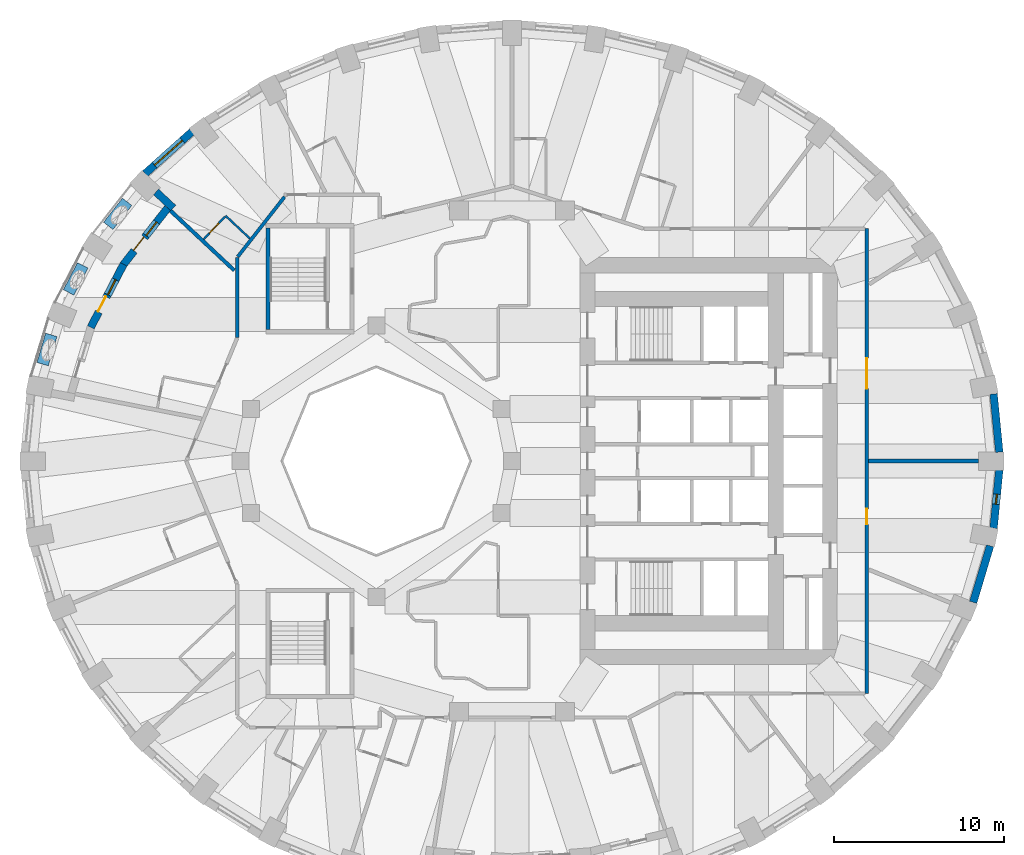
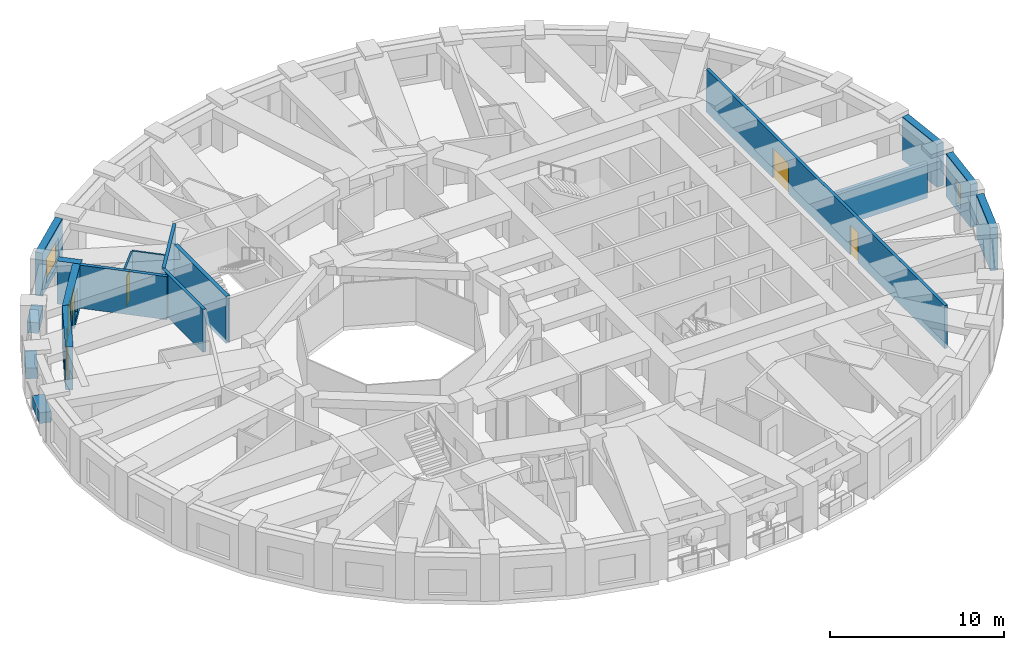
# One storey, part 7 of 13: 18 walls, 5 doors, 4 windows, 9 openings.
"""IFC4 building model written with IfcOpenShell, lengths in metres."""

import ifcopenshell
import ifcopenshell.guid

model = None  # the IFC model being written
_history = None  # IfcOwnerHistory: only IFC2X3 demands one
_inside = {}  # id of a spatial element -> (the spatial element, [elements in it])
_under = {}  # id of a project, library or spatial element -> (it, [spatial elements below it])
_declared = {}  # id of a project -> (the project, [libraries it declares])
_typed = {}  # id of a type object -> (the type object, [elements of that type])
_made_of = {}  # id of a material, layer set ... -> (it, [elements and type objects made of it])


def new_model(schema):
    """Start an empty IFC model of exactly this schema.

    Asked for "IFC4X3", IfcOpenShell would pick the latest addendum, in which some entities
    have other attributes; the version numbers below select the first issue.
    IFC2X3 requires an IfcOwnerHistory on every rooted entity: one is made here for all.
    """
    global model, _history
    if schema == "IFC4X3":
        model = ifcopenshell.file(schema_version=(4, 3, 0, 0))
    else:
        model = ifcopenshell.file(schema=schema)
    _inside.clear()
    _under.clear()
    _declared.clear()
    _typed.clear()
    _made_of.clear()
    _history = None
    if model.schema == "IFC2X3":
        org = make("IfcOrganization", Name="unknown")
        user = make(
            "IfcPersonAndOrganization",
            ThePerson=make("IfcPerson", FamilyName="unknown"),
            TheOrganization=org,
        )
        app = make(
            "IfcApplication",
            ApplicationDeveloper=org,
            Version="unknown",
            ApplicationFullName="unknown",
            ApplicationIdentifier="unknown",
        )
        _history = make(
            "IfcOwnerHistory",
            OwningUser=user,
            OwningApplication=app,
            ChangeAction="ADDED",
            CreationDate=0,
        )
    return model


def make(cls, **values):
    """One entity of the class cls with the attributes given. An attribute that is None is left unset."""
    return model.create_entity(
        cls, **{name: value for name, value in values.items() if value is not None}
    )


def rooted(cls, **values):
    """An entity with a GlobalId (a new one), such as an element, a storey or a relation."""
    return make(cls, GlobalId=ifcopenshell.guid.new(), OwnerHistory=_history, **values)


def si_unit(unit_type, name, prefix=None):
    """IfcSIUnit, for example si_unit("LENGTHUNIT", "METRE", prefix="MILLI")."""
    return make("IfcSIUnit", UnitType=unit_type, Prefix=prefix, Name=name)


def assignment(units):
    """IfcUnitAssignment: the units of a project."""
    return None if units is None else make("IfcUnitAssignment", Units=units)


def point(xyz):
    """IfcCartesianPoint."""
    return None if xyz is None else make("IfcCartesianPoint", Coordinates=xyz)


def direction(xyz):
    """IfcDirection."""
    return None if xyz is None else make("IfcDirection", DirectionRatios=xyz)


def frame(location, z_axis=None, x_axis=None):
    """IfcAxis2Placement3D, a coordinate frame: its origin and axes. An axis left out is left unset."""
    return make(
        "IfcAxis2Placement3D",
        Location=point(location),
        Axis=direction(z_axis),
        RefDirection=direction(x_axis),
    )


def frame_2d(location, x_axis=None):
    """IfcAxis2Placement2D, a coordinate frame in the plane: its origin and x axis."""
    return make(
        "IfcAxis2Placement2D", Location=point(location), RefDirection=direction(x_axis)
    )


def origin():
    """The frame at (0, 0, 0) with its axes left unset."""
    return frame((0.0, 0.0, 0.0))


def place(relative_to, where):
    """IfcLocalPlacement: puts the frame where relative to a parent placement (None: the world)."""
    return make(
        "IfcLocalPlacement", PlacementRelTo=relative_to, RelativePlacement=where
    )


def context(
    kind, dimensions, precision=None, world=None, true_north=None, identifier=None
):
    """IfcGeometricRepresentationContext, for example the 3D "Model" context."""
    return make(
        "IfcGeometricRepresentationContext",
        ContextIdentifier=identifier,
        ContextType=kind,
        CoordinateSpaceDimension=dimensions,
        Precision=precision,
        WorldCoordinateSystem=world,
        TrueNorth=true_north,
    )


def subcontext(parent, identifier, kind, view, scale=None):
    """IfcGeometricRepresentationSubContext, for example "Body" below "Model"."""
    return make(
        "IfcGeometricRepresentationSubContext",
        ContextIdentifier=identifier,
        ContextType=kind,
        ParentContext=parent,
        TargetScale=scale,
        TargetView=view,
    )


def project(units=None, contexts=None):
    """IfcProject with its units and contexts."""
    return rooted(
        "IfcProject",
        Name="project",
        RepresentationContexts=contexts,
        UnitsInContext=assignment(units),
    )


def spatial(cls, under=None, at=None, **own):
    """A site, building, storey or space (cls), placed at a placement, below another one or the project."""
    s = rooted(cls, ObjectPlacement=at, **own)
    if under is not None:
        _under.setdefault(under.id(), (under, []))[1].append(s)
    return s


def profile(cls, at=None, kind="AREA", **sizes):
    """A parametric profile (cls). Its sizes go by their IFC names, for example OverallWidth=200.0."""
    return make(cls, ProfileType=kind, Position=at, **sizes)


def rectangle(**sizes):
    """IfcRectangleProfileDef."""
    return profile("IfcRectangleProfileDef", **sizes)


def extrude(swept, where, along, depth):
    """IfcExtrudedAreaSolid: the profile swept, set in the frame where, extruded along a direction by depth."""
    return make(
        "IfcExtrudedAreaSolid",
        SweptArea=swept,
        Position=where,
        ExtrudedDirection=direction(along),
        Depth=depth,
    )


def shape(context_of_items, identifier, shape_type, items):
    """IfcShapeRepresentation: the items that make up one representation, for example the "Body"."""
    return make(
        "IfcShapeRepresentation",
        ContextOfItems=context_of_items,
        RepresentationIdentifier=identifier,
        RepresentationType=shape_type,
        Items=items,
    )


def material(Name=None, Category=None):
    """IfcMaterial."""
    return make("IfcMaterial", Name=Name, Category=Category)


def layer(
    of_material, thickness, ventilated=None, Name=None, Category=None, Priority=None
):
    """IfcMaterialLayer: one layer of a wall or slab, of a material (None: an air gap)."""
    return make(
        "IfcMaterialLayer",
        Material=of_material,
        LayerThickness=thickness,
        IsVentilated=ventilated,
        Name=Name,
        Category=Category,
        Priority=Priority,
    )


def layer_set(layers, Name=None):
    """IfcMaterialLayerSet."""
    return make("IfcMaterialLayerSet", MaterialLayers=layers, LayerSetName=Name)


def constituent(of_material, Name=None, Category=None, fraction=None):
    """IfcMaterialConstituent: one of the materials an element consists of."""
    return make(
        "IfcMaterialConstituent",
        Name=Name,
        Material=of_material,
        Fraction=fraction,
        Category=Category,
    )


def constituent_set(constituents=None, Name=None):
    """IfcMaterialConstituentSet."""
    return make(
        "IfcMaterialConstituentSet", Name=Name, MaterialConstituents=constituents
    )


def made_of(thing, what):
    """Note that an element or type object is made of a material, layer set ...; save() writes the relation."""
    if what is not None:
        _made_of.setdefault(what.id(), (what, []))[1].append(thing)
    return thing


def type_object(cls, material=None, **own):
    """A type object (cls), such as IfcWallType, which elements share."""
    return made_of(rooted(cls, **own), material)


def element(
    cls,
    number,
    at=None,
    inside=None,
    cuts=None,
    type_object=None,
    material=None,
    context=None,
    identifier="Body",
    shape_type=None,
    held_by="IfcProductDefinitionShape",
    body=None,
    shapes=None,
    **own,
):
    """One element of the class cls, such as IfcWall. Its Tag is "e" and its number.

    at: its placement. inside: the storey or other place that contains it. cuts: it is an
    opening in that element (IfcRelVoidsElement). A single representation is given by context,
    identifier, shape_type and body (its items); several are given by shapes. held_by: the class
    of the entity that holds the representations. save() writes the other relations.
    """
    e = rooted(cls, Tag="e%d" % number, ObjectPlacement=at, **own)
    if body is not None:
        shapes = [shape(context, identifier, shape_type, body)]
    if shapes is not None:
        e.Representation = make(held_by, Representations=shapes)
    if inside is not None:
        _inside.setdefault(inside.id(), (inside, []))[1].append(e)
    if cuts is not None:
        rooted(
            "IfcRelVoidsElement", RelatingBuildingElement=cuts, RelatedOpeningElement=e
        )
    if type_object is not None:
        _typed.setdefault(type_object.id(), (type_object, []))[1].append(e)
    return made_of(e, material)


def fill(opening, filler):
    """IfcRelFillsElement: the door or window that sits in an opening."""
    return rooted(
        "IfcRelFillsElement",
        RelatingOpeningElement=opening,
        RelatedBuildingElement=filler,
    )


def aggregate(whole, parts):
    """IfcRelAggregates: a whole, such as a stair, and the parts it consists of."""
    return rooted("IfcRelAggregates", RelatingObject=whole, RelatedObjects=parts)


def save(model, path):
    """Write the relations noted so far, then the file.

    IfcRelAggregates (storeys below a building ...), IfcRelContainedInSpatialStructure (elements
    in a storey), IfcRelDefinesByType, IfcRelAssociatesMaterial and IfcRelDeclares: one each for
    every whole, place, type object, material and project.
    """
    for whole, parts in _under.values():
        aggregate(whole, parts)
    for where, things in _inside.values():
        rooted(
            "IfcRelContainedInSpatialStructure",
            RelatedElements=things,
            RelatingStructure=where,
        )
    for kind, things in _typed.values():
        rooted("IfcRelDefinesByType", RelatedObjects=things, RelatingType=kind)
    for what, things in _made_of.values():
        rooted("IfcRelAssociatesMaterial", RelatedObjects=things, RelatingMaterial=what)
    for by, libraries in _declared.values():
        rooted("IfcRelDeclares", RelatingContext=by, RelatedDefinitions=libraries)
    model.write(path)


model = new_model("IFC4")

# Units and contexts
model_context = context("Model", 3, precision=1e-05, world=origin(), true_north=direction((0.0, 1.0)))
body_context = subcontext(model_context, "Body", "Model", "MODEL_VIEW")
ifc_project = project(units=[si_unit("LENGTHUNIT", "METRE"), si_unit("AREAUNIT", "SQUARE_METRE"), si_unit("VOLUMEUNIT", "CUBIC_METRE"), si_unit("PLANEANGLEUNIT", "RADIAN"), si_unit("MASSUNIT", "GRAM", prefix="KILO")], contexts=[model_context])

# Site, building, storey
site_placement = place(None, origin())
site = spatial("IfcSite", under=ifc_project, at=site_placement, CompositionType="ELEMENT")
building_placement = place(site_placement, origin())
building = spatial("IfcBuilding", under=site, at=building_placement, Name="Taillehof Tower", CompositionType="ELEMENT")
storey_placement = place(building_placement, frame((0.0, 0.0, 71.199951171875)))
storey = spatial("IfcBuildingStorey", under=building, at=storey_placement, Name="L19", CompositionType="ELEMENT", Elevation=71.199951171875)

# Wall
ifc_material_1 = material(Name="Brick masonry", Category="masonry")
ifc_layer_1 = layer(ifc_material_1, 0.449951171875)
ifc_layer_set_1 = layer_set([ifc_layer_1], Name="Brick infill wall 450")
wall_type_1 = type_object("IfcWallType", Name="Brick infill wall 450", PredefinedType="SOLIDWALL", material=ifc_layer_set_1)
wall_1_placement = place(storey_placement, frame((28.721923828125, 0.530029296875, 0.0), z_axis=(0.0, 0.0, 1.0), x_axis=(-0.097389581596, 0.995246336038, 0.0)))
element("IfcWall", 1, at=wall_1_placement, inside=storey, type_object=wall_type_1, Name="Brick wall L19 bay 1", PredefinedType="SOLIDWALL", context=body_context, shape_type="SweptSolid", body=[
    extrude(rectangle(XDim=3.44189453125, YDim=0.449951171875, at=frame_2d((1.720947265625, 0.0))), origin(), (0.0, 0.0, 1.0), 3.02001953125),
])

# Wall, opening, window
wall_2_placement = place(storey_placement, frame((-18.87060546875, 19.406982421875, 0.0), z_axis=(0.0, 0.0, 1.0), x_axis=(-0.745526233716, -0.66647628228, 0.0)))
wall_2 = element("IfcWall", 2, at=wall_2_placement, inside=storey, type_object=wall_type_1, Name="Brick wall L19 bay 14", PredefinedType="SOLIDWALL", context=body_context, shape_type="SweptSolid", body=[
    extrude(rectangle(XDim=3.69677734375, YDim=0.449951171875, at=frame_2d((1.848388671875, 0.0))), origin(), (0.0, 0.0, 1.0), 3.02001953125),
])
opening_1_placement = place(wall_2_placement, frame((0.74853515625, 0.0, 0.39990234375)))
opening_1 = element("IfcOpeningElement", 3, at=opening_1_placement, cuts=wall_2, Name="Opening W1", PredefinedType="OPENING", context=body_context, shape_type="SweptSolid", body=[
    extrude(rectangle(XDim=2.199951171875, YDim=1.75, at=frame_2d((1.10009765625, 0.875))), frame((0.0, 0.23486328125, 0.0), z_axis=(0.0, -1.0, 0.0), x_axis=(1.0, 0.0, 0.0)), (0.0, 0.0, 1.0), 0.469970703125),
])
ifc_material_2 = material(Name="Aluminium window frame with clear double glazing", Category="aluminium")
window_type_1 = type_object("IfcWindowType", Name="Deep-set window 2200x1750", PartitioningType="SINGLE_PANEL", PredefinedType="WINDOW", material=ifc_material_2)
window_1_placement = place(opening_1_placement, origin())
window_1 = element("IfcWindow", 4, at=window_1_placement, inside=storey, type_object=window_type_1, Name="W1", OverallHeight=1.75, OverallWidth=2.199951171875, PartitioningType="SINGLE_PANEL", PredefinedType="WINDOW", context=body_context, shape_type="SweptSolid", body=[
    extrude(rectangle(XDim=2.199951171875, YDim=1.75, at=frame_2d((1.10009765625, 0.875))), frame((0.0, 0.034912109375, 0.0), z_axis=(0.0, -1.0, 0.0), x_axis=(1.0, 0.0, 0.0)), (0.0, 0.0, 1.0), 0.06005859375),
])
fill(opening_1, window_1)

# Wall
wall_3_placement = place(storey_placement, frame((27.184814453125, -8.322998046875, 0.0), z_axis=(0.0, 0.0, 1.0), x_axis=(0.287064133733, 0.957911364963, 0.0)))
element("IfcWall", 5, at=wall_3_placement, inside=storey, type_object=wall_type_1, Name="Brick wall L19 bay 35", PredefinedType="SOLIDWALL", context=body_context, shape_type="SweptSolid", body=[
    extrude(rectangle(XDim=3.473388671875, YDim=0.449951171875, at=frame_2d((1.73681640625, 0.0))), origin(), (0.0, 0.0, 1.0), 3.02001953125),
])

# Wall, opening, window
wall_4_placement = place(storey_placement, frame((28.38671875, -3.95556640625, 0.0), z_axis=(0.0, 0.0, 1.0), x_axis=(0.097389581596, 0.995246336038, 0.0)))
wall_4 = element("IfcWall", 6, at=wall_4_placement, inside=storey, type_object=wall_type_1, Name="Brick wall L19 bay 36", PredefinedType="SOLIDWALL", context=body_context, shape_type="SweptSolid", body=[
    extrude(rectangle(XDim=3.44189453125, YDim=0.449951171875, at=frame_2d((1.720947265625, 0.0))), origin(), (0.0, 0.0, 1.0), 3.02001953125),
])
opening_2_placement = place(wall_4_placement, frame((1.4208984375, 0.0, 0.39990234375)))
opening_2 = element("IfcOpeningElement", 7, at=opening_2_placement, cuts=wall_4, Name="Opening W6", PredefinedType="OPENING", context=body_context, shape_type="SweptSolid", body=[
    extrude(rectangle(XDim=0.60009765625, YDim=1.75, at=frame_2d((0.300048828125, 0.875))), frame((0.0, 0.23486328125, 0.0), z_axis=(0.0, -1.0, 0.0), x_axis=(1.0, 0.0, 0.0)), (0.0, 0.0, 1.0), 0.469970703125),
])
ifc_material_3 = material(Name="Aluminium window frame with clear double glazing", Category="aluminium")
window_type_2 = type_object("IfcWindowType", Name="Slot window 600x1750", PartitioningType="SINGLE_PANEL", PredefinedType="WINDOW", material=ifc_material_3)
window_2_placement = place(opening_2_placement, origin())
window_2 = element("IfcWindow", 8, at=window_2_placement, inside=storey, type_object=window_type_2, Name="W6", OverallHeight=1.75, OverallWidth=0.60009765625, PartitioningType="SINGLE_PANEL", PredefinedType="WINDOW", context=body_context, shape_type="SweptSolid", body=[
    extrude(rectangle(XDim=0.60009765625, YDim=1.75, at=frame_2d((0.300048828125, 0.875))), frame((0.0, 0.034912109375, 0.0), z_axis=(0.0, -1.0, 0.0), x_axis=(1.0, 0.0, 0.0)), (0.0, 0.0, 1.0), 0.06005859375),
])
fill(opening_2, window_2)

# Wall
wall_5_placement = place(storey_placement, frame((-20.981689453125, 15.8662109375, 0.0), z_axis=(0.0, 0.0, 1.0), x_axis=(0.730062381614, -0.683380508174, 0.0)))
element("IfcWall", 9, at=wall_5_placement, inside=storey, type_object=wall_type_1, Name="Brick reveal L19 pocket 4", PredefinedType="SOLIDWALL", context=body_context, shape_type="SweptSolid", body=[
    extrude(rectangle(XDim=1.39111328125, YDim=0.449951171875, at=frame_2d((0.695556640625, 0.0))), origin(), (0.0, 0.0, 1.0), 3.02001953125),
])

# Wall, openings, door, window
wall_6_placement = place(storey_placement, frame((-20.298095703125, 14.918212890625, 0.0), z_axis=(0.0, 0.0, 1.0), x_axis=(-0.615578403957, -0.788075649022, 0.0)))
wall_6 = element("IfcWall", 10, at=wall_6_placement, inside=storey, type_object=wall_type_1, Name="Brick wall L19 pocket bay 15", PredefinedType="SOLIDWALL", context=body_context, shape_type="SweptSolid", body=[
    extrude(rectangle(XDim=4.2587890625, YDim=0.449951171875, at=frame_2d((2.12939453125, 0.0))), origin(), (0.0, 0.0, 1.0), 3.02001953125),
])
opening_3_placement = place(wall_6_placement, frame((1.05419921875, 0.0, 0.39990234375)))
opening_3 = element("IfcOpeningElement", 11, at=opening_3_placement, cuts=wall_6, Name="Opening W5", PredefinedType="OPENING", context=body_context, shape_type="SweptSolid", body=[
    extrude(rectangle(XDim=1.0, YDim=1.75, at=frame_2d((0.5, 0.875))), frame((0.0, 0.23486328125, 0.0), z_axis=(0.0, -1.0, 0.0), x_axis=(1.0, 0.0, 0.0)), (0.0, 0.0, 1.0), 0.469970703125),
])
opening_4_placement = place(wall_6_placement, frame((2.204345703125, 0.0, 0.0)))
opening_4 = element("IfcOpeningElement", 12, at=opening_4_placement, cuts=wall_6, Name="Opening D1994", PredefinedType="OPENING", context=body_context, shape_type="SweptSolid", body=[
    extrude(rectangle(XDim=1.0, YDim=2.14990234375, at=frame_2d((0.5, 1.074951171875))), frame((0.0, 0.23486328125, 0.0), z_axis=(0.0, -1.0, 0.0), x_axis=(1.0, 0.0, 0.0)), (0.0, 0.0, 1.0), 0.469970703125),
])
ifc_material_4 = material(Name="Aluminium door frame with clear double glazing", Category="aluminium")
door_type_1 = type_object("IfcDoorType", Name="Balcony door 1000x2150", OperationType="SINGLE_SWING_RIGHT", PredefinedType="DOOR", material=ifc_material_4)
door_1_placement = place(opening_4_placement, frame((1.0, 0.0, 0.0), z_axis=(0.0, 0.0, 1.0), x_axis=(-1.0, 0.0, 0.0)))
door_1 = element("IfcDoor", 13, at=door_1_placement, inside=storey, type_object=door_type_1, Name="Balcony door L19 bay 15", OperationType="SINGLE_SWING_RIGHT", OverallHeight=2.14990234375, OverallWidth=1.0, PredefinedType="DOOR", context=body_context, shape_type="SweptSolid", body=[
    extrude(rectangle(XDim=1.0, YDim=2.14990234375, at=frame_2d((0.5, 1.074951171875))), frame((0.0, 0.0751953125, 0.0), z_axis=(0.0, -1.0, 0.0), x_axis=(1.0, 0.0, 0.0)), (0.0, 0.0, 1.0), 0.050048828125),
])
fill(opening_4, door_1)
ifc_material_5 = material(Name="Aluminium window frame with clear double glazing", Category="aluminium")
window_type_3 = type_object("IfcWindowType", Name="Fixed window 1000x1750", PartitioningType="SINGLE_PANEL", PredefinedType="WINDOW", material=ifc_material_5)
window_3_placement = place(opening_3_placement, origin())
window_3 = element("IfcWindow", 14, at=window_3_placement, inside=storey, type_object=window_type_3, Name="W5", OverallHeight=1.75, OverallWidth=1.0, PartitioningType="SINGLE_PANEL", PredefinedType="WINDOW", context=body_context, shape_type="SweptSolid", body=[
    extrude(rectangle(XDim=1.0, YDim=1.75, at=frame_2d((0.5, 0.875))), frame((0.0, 0.034912109375, 0.0), z_axis=(0.0, -1.0, 0.0), x_axis=(1.0, 0.0, 0.0)), (0.0, 0.0, 1.0), 0.06005859375),
])
fill(opening_3, window_3)

wall_7_placement = place(storey_placement, frame((-22.897216796875, 11.5966796875, 0.0), z_axis=(0.0, 0.0, 1.0), x_axis=(-0.461514453451, -0.887132689769, 0.0)))
wall_7 = element("IfcWall", 15, at=wall_7_placement, inside=storey, type_object=wall_type_1, Name="Brick wall L19 pocket bay 16", PredefinedType="SOLIDWALL", context=body_context, shape_type="SweptSolid", body=[
    extrude(rectangle(XDim=4.182861328125, YDim=0.449951171875, at=frame_2d((2.09130859375, 0.0))), origin(), (0.0, 0.0, 1.0), 3.02001953125),
])
opening_5_placement = place(wall_7_placement, frame((1.016357421875, 0.0, 0.39990234375)))
opening_5 = element("IfcOpeningElement", 16, at=opening_5_placement, cuts=wall_7, Name="Opening W5", PredefinedType="OPENING", context=body_context, shape_type="SweptSolid", body=[
    extrude(rectangle(XDim=1.0, YDim=1.75, at=frame_2d((0.5, 0.875))), frame((0.0, 0.23486328125, 0.0), z_axis=(0.0, -1.0, 0.0), x_axis=(1.0, 0.0, 0.0)), (0.0, 0.0, 1.0), 0.469970703125),
])
opening_6_placement = place(wall_7_placement, frame((2.16650390625, 0.0, 0.0)))
opening_6 = element("IfcOpeningElement", 17, at=opening_6_placement, cuts=wall_7, Name="Opening D1995", PredefinedType="OPENING", context=body_context, shape_type="SweptSolid", body=[
    extrude(rectangle(XDim=1.0, YDim=2.14990234375, at=frame_2d((0.5, 1.074951171875))), frame((0.0, 0.23486328125, 0.0), z_axis=(0.0, -1.0, 0.0), x_axis=(1.0, 0.0, 0.0)), (0.0, 0.0, 1.0), 0.469970703125),
])
door_2_placement = place(opening_6_placement, frame((1.0, 0.0, 0.0), z_axis=(0.0, 0.0, 1.0), x_axis=(-1.0, 0.0, 0.0)))
door_2 = element("IfcDoor", 18, at=door_2_placement, inside=storey, type_object=door_type_1, Name="Balcony door L19 bay 16", OperationType="SINGLE_SWING_LEFT", OverallHeight=2.14990234375, OverallWidth=1.0, PredefinedType="DOOR", context=body_context, shape_type="SweptSolid", body=[
    extrude(rectangle(XDim=1.0, YDim=2.14990234375, at=frame_2d((0.5, 1.074951171875))), frame((0.0, 0.0751953125, 0.0), z_axis=(0.0, -1.0, 0.0), x_axis=(1.0, 0.0, 0.0)), (0.0, 0.0, 1.0), 0.050048828125),
])
fill(opening_6, door_2)
window_4_placement = place(opening_5_placement, origin())
window_4 = element("IfcWindow", 19, at=window_4_placement, inside=storey, type_object=window_type_3, Name="W5", OverallHeight=1.75, OverallWidth=1.0, PartitioningType="SINGLE_PANEL", PredefinedType="WINDOW", context=body_context, shape_type="SweptSolid", body=[
    extrude(rectangle(XDim=1.0, YDim=1.75, at=frame_2d((0.5, 0.875))), frame((0.0, 0.034912109375, 0.0), z_axis=(0.0, -1.0, 0.0), x_axis=(1.0, 0.0, 0.0)), (0.0, 0.0, 1.0), 0.06005859375),
])
fill(opening_5, window_4)

# Wall, openings, doors
ifc_material_6 = material(Name="Gypsum board on steel studs, two layers each side", Category="steel")
ifc_layer_2 = layer(ifc_material_6, 0.199951171875)
ifc_layer_set_2 = layer_set([ifc_layer_2], Name="Compartment wall corridor 200")
wall_type_2 = type_object("IfcWallType", Name="Compartment wall corridor 200", PredefinedType="PARTITIONING", material=ifc_layer_set_2)
wall_8_placement = place(storey_placement, frame((20.89990234375, 13.699951171875, 0.0), z_axis=(0.0, 0.0, 1.0), x_axis=(0.0, -1.0, 0.0)))
wall_8 = element("IfcWall", 20, at=wall_8_placement, inside=storey, type_object=wall_type_2, Name="Compartment wall", PredefinedType="PARTITIONING", context=body_context, shape_type="SweptSolid", body=[
    extrude(rectangle(XDim=27.39990234375, YDim=0.199951171875, at=frame_2d((13.699951171875, 0.0))), origin(), (0.0, 0.0, 1.0), 3.02001953125),
])
opening_7_placement = place(wall_8_placement, frame((16.522705078125, 0.0, 0.0)))
opening_7 = element("IfcOpeningElement", 21, at=opening_7_placement, cuts=wall_8, Name="Opening D1965", PredefinedType="OPENING", context=body_context, shape_type="SweptSolid", body=[
    extrude(rectangle(XDim=0.89990234375, YDim=2.10009765625, at=frame_2d((0.449951171875, 1.050048828125))), frame((0.0, 0.10986328125, 0.0), z_axis=(0.0, -1.0, 0.0), x_axis=(1.0, 0.0, 0.0)), (0.0, 0.0, 1.0), 0.219970703125),
])
opening_8_placement = place(wall_8_placement, frame((7.634521484375, 0.0, 0.0)))
opening_8 = element("IfcOpeningElement", 22, at=opening_8_placement, cuts=wall_8, Name="Opening D1966", PredefinedType="OPENING", context=body_context, shape_type="SweptSolid", body=[
    extrude(rectangle(XDim=1.800048828125, YDim=2.10009765625, at=frame_2d((0.89990234375, 1.050048828125))), frame((0.0, 0.10986328125, 0.0), z_axis=(0.0, -1.0, 0.0), x_axis=(1.0, 0.0, 0.0)), (0.0, 0.0, 1.0), 0.219970703125),
])
ifc_material_7 = material(Name="Timber door leaf in steel frame", Category="steel")
door_type_2 = type_object("IfcDoorType", Name="Lounge and meeting room double door EI 30 1800 x 2100", OperationType="SINGLE_SWING_LEFT", PredefinedType="DOOR", material=ifc_material_7)
door_3_placement = place(opening_8_placement, origin())
door_3 = element("IfcDoor", 23, at=door_3_placement, inside=storey, type_object=door_type_2, Name="D1966", OperationType="DOUBLE_DOOR_SINGLE_SWING", OverallHeight=2.10009765625, OverallWidth=1.800048828125, PredefinedType="DOOR", context=body_context, shape_type="SweptSolid", body=[
    extrude(rectangle(XDim=1.800048828125, YDim=2.10009765625, at=frame_2d((0.89990234375, 1.050048828125))), frame((0.0, 0.02490234375, 0.0), z_axis=(0.0, -1.0, 0.0), x_axis=(1.0, 0.0, 0.0)), (0.0, 0.0, 1.0), 0.050048828125),
])
fill(opening_8, door_3)
ifc_material_8 = material(Name="Timber door leaf in steel frame", Category="steel")
door_type_3 = type_object("IfcDoorType", Name="Service room door EI 30 900 x 2100", OperationType="SINGLE_SWING_LEFT", PredefinedType="DOOR", material=ifc_material_8)
door_4_placement = place(opening_7_placement, origin())
door_4 = element("IfcDoor", 24, at=door_4_placement, inside=storey, type_object=door_type_3, Name="D1965", OperationType="SINGLE_SWING_RIGHT", OverallHeight=2.10009765625, OverallWidth=0.89990234375, PredefinedType="DOOR", context=body_context, shape_type="SweptSolid", body=[
    extrude(rectangle(XDim=0.89990234375, YDim=2.10009765625, at=frame_2d((0.449951171875, 1.050048828125))), frame((0.0, 0.02490234375, 0.0), z_axis=(0.0, -1.0, 0.0), x_axis=(1.0, 0.0, 0.0)), (0.0, 0.0, 1.0), 0.050048828125),
])
fill(opening_7, door_4)

# Walls
wall_9_placement = place(storey_placement, frame((-16.199951171875, 7.29833984375, 0.0), z_axis=(0.0, 0.0, 1.0), x_axis=(0.0, 1.0, 0.0)))
element("IfcWall", 25, at=wall_9_placement, inside=storey, type_object=wall_type_2, Name="Compartment wall", PredefinedType="PARTITIONING", context=body_context, shape_type="SweptSolid", body=[
    extrude(rectangle(XDim=4.703125, YDim=0.199951171875, at=frame_2d((2.3515625, 0.0))), origin(), (0.0, 0.0, 1.0), 3.02001953125),
])
wall_10_placement = place(storey_placement, frame((-16.163330078125, 12.049072265625, 0.0), z_axis=(0.0, 0.0, 1.0), x_axis=(0.6157435057, 0.787946657578, 0.0)))
element("IfcWall", 26, at=wall_10_placement, inside=storey, type_object=wall_type_2, Name="Compartment wall", PredefinedType="PARTITIONING", context=body_context, shape_type="SweptSolid", body=[
    extrude(rectangle(XDim=4.477294921875, YDim=0.199951171875, at=frame_2d((2.23876953125, 0.0))), origin(), (0.0, 0.0, 1.0), 3.02001953125),
])
ifc_material_9 = material(Name="Gypsum board on double steel studs with mineral wool", Category="steel")
ifc_layer_3 = layer(ifc_material_9, 0.219970703125)
ifc_layer_set_3 = layer_set([ifc_layer_3], Name="Compartment wall guest room 220")
wall_type_3 = type_object("IfcWallType", Name="Compartment wall guest room 220", PredefinedType="PARTITIONING", material=ifc_layer_set_3)
wall_11_placement = place(storey_placement, frame((27.5, 0.0, 0.0), z_axis=(0.0, 0.0, 1.0), x_axis=(-1.0, 0.0, 0.0)))
element("IfcWall", 27, at=wall_11_placement, inside=storey, type_object=wall_type_3, Name="Compartment wall", PredefinedType="PARTITIONING", context=body_context, shape_type="SweptSolid", body=[
    extrude(rectangle(XDim=6.5, YDim=0.219970703125, at=frame_2d((3.25, 0.0))), origin(), (0.0, 0.0, 1.0), 2.469970703125),
])
wall_12_placement = place(storey_placement, frame((-20.133056640625, 14.763671875, 0.0), z_axis=(0.0, 0.0, 1.0), x_axis=(0.730092856427, -0.683347950165, 0.0)))
element("IfcWall", 28, at=wall_12_placement, inside=storey, type_object=wall_type_3, Name="Compartment wall", PredefinedType="PARTITIONING", context=body_context, shape_type="SweptSolid", body=[
    extrude(rectangle(XDim=5.149658203125, YDim=0.219970703125, at=frame_2d((2.57470703125, 0.0))), origin(), (0.0, 0.0, 1.0), 3.02001953125),
])
ifc_material_10 = material(Name="Gypsum board on steel studs, moisture resistant", Category="steel")
ifc_layer_4 = layer(ifc_material_10, 0.1201171875)
ifc_layer_set_4 = layer_set([ifc_layer_4], Name="En-suite wall 120")
wall_type_4 = type_object("IfcWallType", Name="En-suite wall 120", PredefinedType="PARTITIONING", material=ifc_layer_set_4)
wall_13_placement = place(storey_placement, frame((-15.451904296875, 13.12158203125, 0.0), z_axis=(0.0, 0.0, 1.0), x_axis=(-0.730035995084, 0.683408696083, 0.0)))
element("IfcWall", 29, at=wall_13_placement, inside=storey, type_object=wall_type_4, Name="En-suite wall", PredefinedType="PARTITIONING", context=body_context, shape_type="SweptSolid", body=[
    extrude(rectangle(XDim=1.953125, YDim=0.1201171875, at=frame_2d((0.9765625, 0.0))), origin(), (0.0, 0.0, 1.0), 3.02001953125),
])

# Wall, opening, door
wall_14_placement = place(storey_placement, frame((-16.918701171875, 14.41259765625, 0.0), z_axis=(0.0, 0.0, 1.0), x_axis=(-0.683306289544, -0.730131847456, 0.0)))
wall_14 = element("IfcWall", 30, at=wall_14_placement, inside=storey, type_object=wall_type_4, Name="En-suite wall", PredefinedType="PARTITIONING", context=body_context, shape_type="SweptSolid", body=[
    extrude(rectangle(XDim=1.830078125, YDim=0.1201171875, at=frame_2d((0.9150390625, 0.0))), origin(), (0.0, 0.0, 1.0), 3.02001953125),
])
opening_9_placement = place(wall_14_placement, frame((0.5400390625, 0.0, 0.0)))
opening_9 = element("IfcOpeningElement", 31, at=opening_9_placement, cuts=wall_14, Name="Opening D1947", PredefinedType="OPENING", context=body_context, shape_type="SweptSolid", body=[
    extrude(rectangle(XDim=0.800048828125, YDim=2.10009765625, at=frame_2d((0.39990234375, 1.050048828125))), frame((0.0, 0.070068359375, 0.0), z_axis=(0.0, -1.0, 0.0), x_axis=(1.0, 0.0, 0.0)), (0.0, 0.0, 1.0), 0.14013671875),
])
ifc_material_11 = material(Name="Timber door leaf in steel frame", Category="steel")
door_type_4 = type_object("IfcDoorType", Name="En-suite door 800 x 2100", OperationType="SINGLE_SWING_LEFT", PredefinedType="DOOR", material=ifc_material_11)
door_5_placement = place(opening_9_placement, origin())
door_5 = element("IfcDoor", 32, at=door_5_placement, inside=storey, type_object=door_type_4, Name="D1947", OperationType="SINGLE_SWING_LEFT", OverallHeight=2.10009765625, OverallWidth=0.800048828125, PredefinedType="DOOR", context=body_context, shape_type="SweptSolid", body=[
    extrude(rectangle(XDim=0.800048828125, YDim=2.10009765625, at=frame_2d((0.39990234375, 1.050048828125))), frame((0.0, 0.02490234375, 0.0), z_axis=(0.0, -1.0, 0.0), x_axis=(1.0, 0.0, 0.0)), (0.0, 0.0, 1.0), 0.050048828125),
])
fill(opening_9, door_5)

# Walls
ifc_material_12 = material(Name="Concrete C30/37 precast", Category="concrete")
ifc_constituent_1 = constituent(ifc_material_12, Name="Structure", Category="concrete")
ifc_material_13 = material(Name="Insulated lining")
ifc_constituent_2 = constituent(ifc_material_13, Name="Lining")
ifc_constituent_set = constituent_set(constituents=[ifc_constituent_1, ifc_constituent_2], Name="Planter trough 700x750")
wall_type_5 = type_object("IfcWallType", Name="Planter trough 700x750", PredefinedType="USERDEFINED", material=ifc_constituent_set)
wall_15_placement = place(storey_placement, frame((-22.685546875, 15.28125, 0.0), z_axis=(0.0, 0.0, 1.0), x_axis=(-0.616622746332, -0.787258781282, 0.0)))
element("IfcWall", 33, at=wall_15_placement, inside=storey, type_object=wall_type_5, Name="Planter L19 bay 15", ObjectType="PLANTER", PredefinedType="USERDEFINED", context=body_context, shape_type="SweptSolid", body=[
    extrude(rectangle(XDim=1.7998046875, YDim=0.699951171875, at=frame_2d((0.89990234375, 0.0))), origin(), (0.0, 0.0, 1.0), 0.75),
])
wall_16_placement = place(storey_placement, frame((-25.300048828125, 11.536865234375, 0.0), z_axis=(0.0, 0.0, 1.0), x_axis=(-0.462501112253, -0.886618701114, 0.0)))
element("IfcWall", 34, at=wall_16_placement, inside=storey, type_object=wall_type_5, Name="Planter L19 bay 16", ObjectType="PLANTER", PredefinedType="USERDEFINED", context=body_context, shape_type="SweptSolid", body=[
    extrude(rectangle(XDim=1.800048828125, YDim=0.699951171875, at=frame_2d((0.89990234375, 0.0))), origin(), (0.0, 0.0, 1.0), 0.75),
])
wall_17_placement = place(storey_placement, frame((-27.152099609375, 7.439453125, 0.0), z_axis=(0.0, 0.0, 1.0), x_axis=(-0.287024312863, -0.957923297465, 0.0)))
element("IfcWall", 35, at=wall_17_placement, inside=storey, type_object=wall_type_5, Name="Planter L19 bay 17", ObjectType="PLANTER", PredefinedType="USERDEFINED", context=body_context, shape_type="SweptSolid", body=[
    extrude(rectangle(XDim=1.7998046875, YDim=0.699951171875, at=frame_2d((0.89990234375, 0.0))), origin(), (0.0, 0.0, 1.0), 0.75),
])
ifc_material_14 = material(Name="Concrete C50/60", Category="concrete")
ifc_layer_5 = layer(ifc_material_14, 0.25)
ifc_layer_set_5 = layer_set([ifc_layer_5], Name="Stair wall C50/60 250")
wall_type_6 = type_object("IfcWallType", Name="Stair wall C50/60 250", PredefinedType="SHEAR", material=ifc_layer_set_5)
wall_18_placement = place(storey_placement, frame((-14.375, 7.75, -0.280029296875), z_axis=(0.0, 0.0, 1.0), x_axis=(0.0, 1.0, 0.0)))
element("IfcWall", 36, at=wall_18_placement, inside=storey, type_object=wall_type_6, Name="Stair wall SC", PredefinedType="SHEAR", context=body_context, shape_type="SweptSolid", body=[
    extrude(rectangle(XDim=6.0, YDim=0.25, at=frame_2d((3.0, 0.0))), origin(), (0.0, 0.0, 1.0), 3.300048828125),
])

save(model, "model.ifc")
